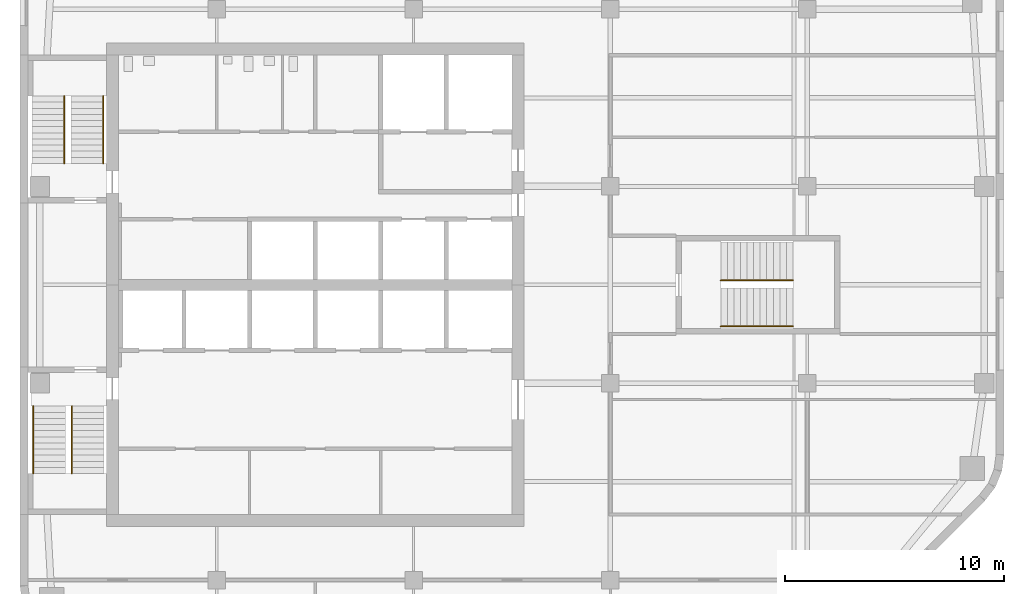
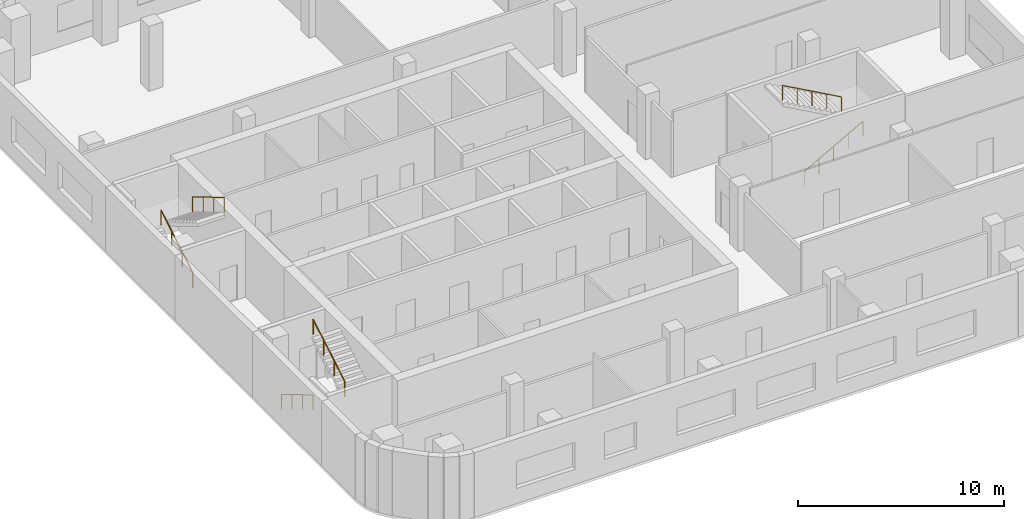
# One storey, part 7 of 8: 6 railings, 3 elements without a shape of their own.
"""IFC4 building model written with IfcOpenShell, lengths in metres."""

from ifc_helpers import new_model, si_unit, direction, frame, origin, origin_2d, place, context, subcontext, project, spatial, circle, extrude, material, type_object, element, aggregate, save


model = new_model("IFC4")

# Units and contexts
model_context = context("Model", 3, precision=1e-05, world=origin(), true_north=direction((0.0, 1.0)))
body_context = subcontext(model_context, "Body", "Model", "MODEL_VIEW")
ifc_project = project(units=[si_unit("LENGTHUNIT", "METRE"), si_unit("AREAUNIT", "SQUARE_METRE"), si_unit("VOLUMEUNIT", "CUBIC_METRE"), si_unit("PLANEANGLEUNIT", "RADIAN"), si_unit("MASSUNIT", "GRAM", prefix="KILO")], contexts=[model_context])

# Site, building, storey
site_placement = place(None, origin())
site = spatial("IfcSite", under=ifc_project, at=site_placement, CompositionType="ELEMENT")
building_placement = place(site_placement, origin())
building = spatial("IfcBuilding", under=site, at=building_placement, Name="Cinnabar Reach Civic Tower", CompositionType="ELEMENT")
storey_placement = place(building_placement, frame((0.0, 0.0, 226.0)))
storey = spatial("IfcBuildingStorey", under=building, at=storey_placement, Name="L54", CompositionType="ELEMENT", Elevation=226.0)

# Stair, railings
ifc_material_1 = material(Name="Concrete C40/50", Category="concrete")
stair_type = type_object("IfcStairType", Name="T1 Exit stair, half-turn", PredefinedType="HALF_TURN_STAIR", material=ifc_material_1)
stair_1_placement = place(storey_placement, origin())
stair_1 = element("IfcStair", 1, at=stair_1_placement, inside=storey, type_object=stair_type, Name="Stair T1-S1", PredefinedType="HALF_TURN_STAIR")
ifc_material_2 = material(Name="Stainless steel tube", Category="steel")
railing_type = type_object("IfcRailingType", Name="T1 Stair handrail, stainless tube 48", PredefinedType="HANDRAIL", material=ifc_material_2)
railing_1_placement = place(storey_placement, frame((0.6, 25.95, 0.1667)))
railing_1 = element("IfcRailing", 2, at=railing_1_placement, type_object=railing_type, Name="T1-S1 handrail 1", PredefinedType="HANDRAIL", context=body_context, shape_type="SweptSolid", body=[
    extrude(circle(Radius=0.024, at=origin_2d()), frame((0.0, 0.0, 0.876), z_axis=(0.0, -0.859296971757, 0.511476992962), x_axis=(1.0, 0.0, 0.0)), (0.0, 0.0, 1.0), 3.5843),
    extrude(circle(Radius=0.021, at=origin_2d()), origin(), (0.0, 0.0, 1.0), 0.852),
    extrude(circle(Radius=0.021, at=origin_2d()), frame((0.0, -1.0267, 0.6111)), (0.0, 0.0, 1.0), 0.852),
    extrude(circle(Radius=0.021, at=origin_2d()), frame((0.0, -2.0533, 1.2222)), (0.0, 0.0, 1.0), 0.852),
    extrude(circle(Radius=0.021, at=origin_2d()), frame((0.0, -3.08, 1.8333)), (0.0, 0.0, 1.0), 0.852),
])
railing_2_placement = place(storey_placement, frame((2.375, 22.87, 2.1667)))
railing_2 = element("IfcRailing", 3, at=railing_2_placement, type_object=railing_type, Name="T1-S1 handrail 2", PredefinedType="HANDRAIL", context=body_context, shape_type="SweptSolid", body=[
    extrude(circle(Radius=0.024, at=origin_2d()), frame((0.0, 0.0, 0.876), z_axis=(0.0, 0.859296971757, 0.511476992962), x_axis=(-1.0, 0.0, 0.0)), (0.0, 0.0, 1.0), 3.5843),
    extrude(circle(Radius=0.021, at=origin_2d()), origin(), (0.0, 0.0, 1.0), 0.852),
    extrude(circle(Radius=0.021, at=origin_2d()), frame((0.0, 1.0267, 0.6111)), (0.0, 0.0, 1.0), 0.852),
    extrude(circle(Radius=0.021, at=origin_2d()), frame((0.0, 2.0533, 1.2222)), (0.0, 0.0, 1.0), 0.852),
    extrude(circle(Radius=0.021, at=origin_2d()), frame((0.0, 3.08, 1.8333)), (0.0, 0.0, 1.0), 0.852),
])
aggregate(stair_1, [railing_1, railing_2])

stair_2_placement = place(storey_placement, origin())
stair_2 = element("IfcStair", 4, at=stair_2_placement, inside=storey, type_object=stair_type, Name="Stair T1-S2", PredefinedType="HALF_TURN_STAIR")
railing_3_placement = place(storey_placement, frame((2.025, 37.05, 0.1667)))
railing_3 = element("IfcRailing", 5, at=railing_3_placement, type_object=railing_type, Name="T1-S2 handrail 1", PredefinedType="HANDRAIL", context=body_context, shape_type="SweptSolid", body=[
    extrude(circle(Radius=0.024, at=origin_2d()), frame((0.0, 0.0, 0.876), z_axis=(0.0, 0.859296971757, 0.511476992962), x_axis=(-1.0, 0.0, 0.0)), (0.0, 0.0, 1.0), 3.5843),
    extrude(circle(Radius=0.021, at=origin_2d()), origin(), (0.0, 0.0, 1.0), 0.852),
    extrude(circle(Radius=0.021, at=origin_2d()), frame((0.0, 1.0267, 0.6111)), (0.0, 0.0, 1.0), 0.852),
    extrude(circle(Radius=0.021, at=origin_2d()), frame((0.0, 2.0533, 1.2222)), (0.0, 0.0, 1.0), 0.852),
    extrude(circle(Radius=0.021, at=origin_2d()), frame((0.0, 3.08, 1.8333)), (0.0, 0.0, 1.0), 0.852),
])
railing_4_placement = place(storey_placement, frame((3.8, 40.13, 2.1667)))
railing_4 = element("IfcRailing", 6, at=railing_4_placement, type_object=railing_type, Name="T1-S2 handrail 2", PredefinedType="HANDRAIL", context=body_context, shape_type="SweptSolid", body=[
    extrude(circle(Radius=0.024, at=origin_2d()), frame((0.0, 0.0, 0.876), z_axis=(0.0, -0.859296971757, 0.511476992962), x_axis=(1.0, 0.0, 0.0)), (0.0, 0.0, 1.0), 3.5843),
    extrude(circle(Radius=0.021, at=origin_2d()), origin(), (0.0, 0.0, 1.0), 0.852),
    extrude(circle(Radius=0.021, at=origin_2d()), frame((0.0, -1.0267, 0.6111)), (0.0, 0.0, 1.0), 0.852),
    extrude(circle(Radius=0.021, at=origin_2d()), frame((0.0, -2.0533, 1.2222)), (0.0, 0.0, 1.0), 0.852),
    extrude(circle(Radius=0.021, at=origin_2d()), frame((0.0, -3.08, 1.8333)), (0.0, 0.0, 1.0), 0.852),
])
aggregate(stair_2, [railing_3, railing_4])

stair_3_placement = place(storey_placement, origin())
stair_3 = element("IfcStair", 7, at=stair_3_placement, inside=storey, type_object=stair_type, Name="Stair T1-S3", PredefinedType="HALF_TURN_STAIR")
railing_5_placement = place(storey_placement, frame((32.05, 29.6, 0.1667)))
railing_5 = element("IfcRailing", 8, at=railing_5_placement, type_object=railing_type, Name="T1-S3 handrail 1", PredefinedType="HANDRAIL", context=body_context, shape_type="SweptSolid", body=[
    extrude(circle(Radius=0.024, at=origin_2d()), frame((0.0, 0.0, 0.876), z_axis=(0.874161024642, 0.0, 0.485636183781), x_axis=(0.0, 1.0, 0.0)), (0.0, 0.0, 1.0), 3.775),
    extrude(circle(Radius=0.021, at=origin_2d()), origin(), (0.0, 0.0, 1.0), 0.852),
    extrude(circle(Radius=0.021, at=origin_2d()), frame((0.825, 0.0, 0.4583)), (0.0, 0.0, 1.0), 0.852),
    extrude(circle(Radius=0.021, at=origin_2d()), frame((1.65, 0.0, 0.9167)), (0.0, 0.0, 1.0), 0.852),
    extrude(circle(Radius=0.021, at=origin_2d()), frame((2.475, 0.0, 1.375)), (0.0, 0.0, 1.0), 0.852),
    extrude(circle(Radius=0.021, at=origin_2d()), frame((3.3, 0.0, 1.8333)), (0.0, 0.0, 1.0), 0.852),
])
railing_6_placement = place(storey_placement, frame((35.35, 31.7, 2.1667)))
railing_6 = element("IfcRailing", 9, at=railing_6_placement, type_object=railing_type, Name="T1-S3 handrail 2", PredefinedType="HANDRAIL", context=body_context, shape_type="SweptSolid", body=[
    extrude(circle(Radius=0.024, at=origin_2d()), frame((0.0, 0.0, 0.876), z_axis=(-0.874161024642, 0.0, 0.485636183781), x_axis=(0.0, -1.0, 0.0)), (0.0, 0.0, 1.0), 3.775),
    extrude(circle(Radius=0.021, at=origin_2d()), origin(), (0.0, 0.0, 1.0), 0.852),
    extrude(circle(Radius=0.021, at=origin_2d()), frame((-0.825, 0.0, 0.4583)), (0.0, 0.0, 1.0), 0.852),
    extrude(circle(Radius=0.021, at=origin_2d()), frame((-1.65, 0.0, 0.9167)), (0.0, 0.0, 1.0), 0.852),
    extrude(circle(Radius=0.021, at=origin_2d()), frame((-2.475, 0.0, 1.375)), (0.0, 0.0, 1.0), 0.852),
    extrude(circle(Radius=0.021, at=origin_2d()), frame((-3.3, 0.0, 1.8333)), (0.0, 0.0, 1.0), 0.852),
])
aggregate(stair_3, [railing_5, railing_6])

save(model, "model.ifc")
